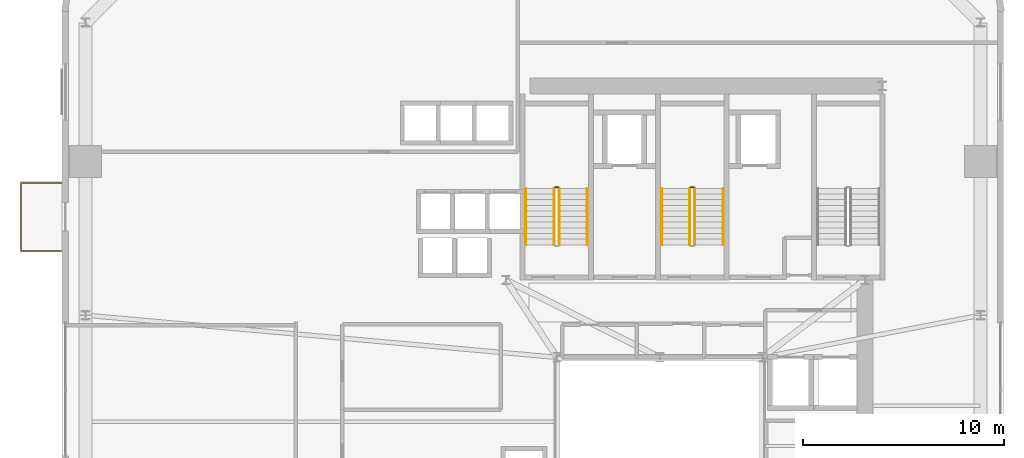
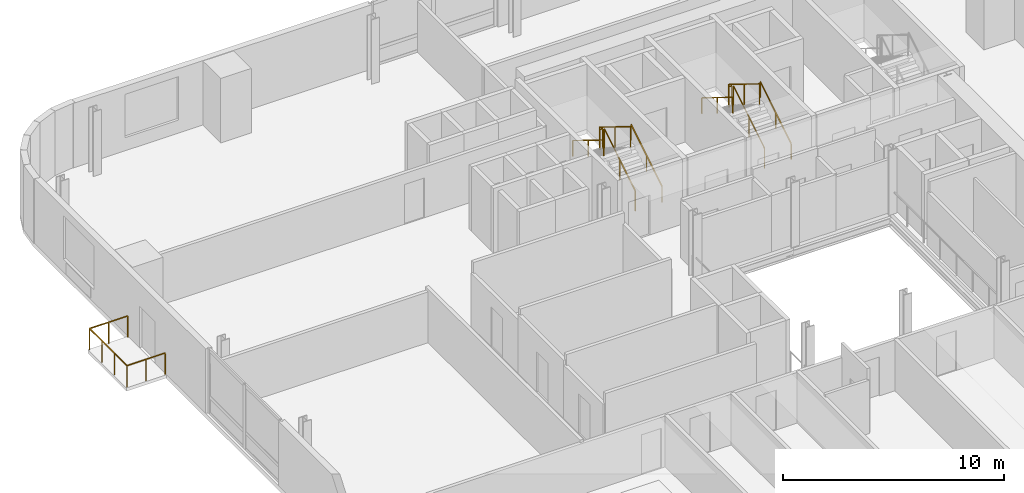
# One storey, part 13 of 14: 11 railings.
"""IFC4 building model written with IfcOpenShell, lengths in metres."""

from ifc_helpers import new_model, si_unit, direction, frame, origin, origin_2d, place, context, subcontext, project, spatial, rectangle, extrude, source, transform, mapped, material, type_object, element, save


model = new_model("IFC4")

# Units and contexts
model_context = context("Model", 3, precision=1e-05, world=origin(), true_north=direction((0.0, 1.0)))
body_context = subcontext(model_context, "Body", "Model", "MODEL_VIEW")
ifc_project = project(units=[si_unit("LENGTHUNIT", "METRE"), si_unit("AREAUNIT", "SQUARE_METRE"), si_unit("VOLUMEUNIT", "CUBIC_METRE"), si_unit("PLANEANGLEUNIT", "RADIAN"), si_unit("MASSUNIT", "GRAM", prefix="KILO")], contexts=[model_context])

# Site, building, storey
site_placement = place(None, origin())
site = spatial("IfcSite", under=ifc_project, at=site_placement, CompositionType="ELEMENT")
building_placement = place(site_placement, origin())
building = spatial("IfcBuilding", under=site, at=building_placement, Name="Vardaveli Station Tower", CompositionType="ELEMENT")
storey_placement = place(building_placement, frame((0.0, 0.0, 103.699951171875)))
storey = spatial("IfcBuildingStorey", under=building, at=storey_placement, Name="L26", CompositionType="ELEMENT", Elevation=103.699951171875)

# Railings
ifc_material_1 = material(Name="Laminated glass and stainless steel balustrade", Category="steel")
railing_type_1 = type_object("IfcRailingType", Name="RL-BAL-1200", PredefinedType="BALUSTRADE", material=ifc_material_1)
shared_shape_1 = source(origin(), body_context, "Body", "SweptSolid", [
    extrude(rectangle(XDim=0.048095703125, YDim=0.048095703125, at=origin_2d()), frame((0.0, 0.0, 1.17578125), z_axis=(-1.0, 0.0, 0.0), x_axis=(0.0, -1.0, 0.0)), (0.0, 0.0, 1.0), 2.0),
    extrude(rectangle(XDim=0.048095703125, YDim=0.048095703125, at=origin_2d()), frame((-2.0, 0.0, 1.17578125), z_axis=(0.0, 1.0, 0.0), x_axis=(-1.0, 0.0, 0.0)), (0.0, 0.0, 1.0), 3.3798828125),
    extrude(rectangle(XDim=0.048095703125, YDim=0.048095703125, at=origin_2d()), frame((-2.0, 3.3798828125, 1.17578125), z_axis=(1.0, 0.0, 0.0), x_axis=(0.0, 1.0, 0.0)), (0.0, 0.0, 1.0), 2.0),
    extrude(rectangle(XDim=0.0419921875, YDim=0.0419921875, at=origin_2d()), origin(), (0.0, 0.0, 1.0), 1.15185546875),
    extrude(rectangle(XDim=0.0419921875, YDim=0.0419921875, at=origin_2d()), frame((-1.0, 0.0, 0.0)), (0.0, 0.0, 1.0), 1.15185546875),
    extrude(rectangle(XDim=0.0419921875, YDim=0.0419921875, at=origin_2d()), frame((-2.0, 0.0, 0.0)), (0.0, 0.0, 1.0), 1.15185546875),
    extrude(rectangle(XDim=0.0419921875, YDim=0.0419921875, at=origin_2d()), frame((-2.0, 1.126708984375, 0.0)), (0.0, 0.0, 1.0), 1.15185546875),
    extrude(rectangle(XDim=0.0419921875, YDim=0.0419921875, at=origin_2d()), frame((-2.0, 2.253173828125, 0.0)), (0.0, 0.0, 1.0), 1.15185546875),
    extrude(rectangle(XDim=0.0419921875, YDim=0.0419921875, at=origin_2d()), frame((-2.0, 3.3798828125, 0.0)), (0.0, 0.0, 1.0), 1.15185546875),
    extrude(rectangle(XDim=0.0419921875, YDim=0.0419921875, at=origin_2d()), frame((-1.0, 3.3798828125, 0.0)), (0.0, 0.0, 1.0), 1.15185546875),
    extrude(rectangle(XDim=0.0419921875, YDim=0.0419921875, at=origin_2d()), frame((0.0, 3.3798828125, 0.0)), (0.0, 0.0, 1.0), 1.15185546875),
])
railing_placement = place(storey_placement, frame((6.56005859375, 32.099609375, 0.0)))
element("IfcRailing", 1, at=railing_placement, inside=storey, type_object=railing_type_1, Name="RL-LOG-L26-03", PredefinedType="BALUSTRADE", context=body_context, shape_type="MappedRepresentation", body=[
    mapped(shared_shape_1, transform((0.0, 0.0, 0.0), scale=1.0)),
])
ifc_material_2 = material(Name="Brushed AISI 316 stainless steel", Category="steel")
railing_type_2 = type_object("IfcRailingType", Name="RL-GUARD-1150", PredefinedType="GUARDRAIL", material=ifc_material_2)
shared_shape_2 = source(origin(), body_context, "Body", "SweptSolid", [
    extrude(rectangle(XDim=0.048095703125, YDim=0.048095703125, at=origin_2d()), frame((0.0, 0.0, 1.1259765625), z_axis=(-1.0, 0.0, 0.0), x_axis=(0.0, -1.0, 0.0)), (0.0, 0.0, 1.0), 0.14990234375),
    extrude(rectangle(XDim=0.0419921875, YDim=0.0419921875, at=origin_2d()), origin(), (0.0, 0.0, 1.0), 1.101806640625),
    extrude(rectangle(XDim=0.0419921875, YDim=0.0419921875, at=origin_2d()), frame((-0.14990234375, 0.0, 0.0)), (0.0, 0.0, 1.0), 1.101806640625),
])
for number, where, name in (
    (2, (31.25, 35.25, 1.900146484375), "L26 ST-1 stair guard 2"),
    (3, (38.0, 35.25, 1.900146484375), "L26 ST-2 stair guard 2"),
):
    element("IfcRailing", number, at=place(storey_placement, frame(where)), inside=storey, type_object=railing_type_2, Name=name, PredefinedType="GUARDRAIL", context=body_context, shape_type="MappedRepresentation", body=[
        mapped(shared_shape_2, transform((0.0, 0.0, 0.0), scale=1.0)),
    ])
shared_shape_3 = source(origin(), body_context, "Body", "SweptSolid", [
    extrude(rectangle(XDim=0.048095703125, YDim=0.048095703125, at=origin_2d()), frame((0.0, 0.0, 1.1259765625), z_axis=(0.0, 0.851089632645, 0.525020415988), x_axis=(-1.0, 0.0, 0.0)), (0.0, 0.0, 1.0), 3.2900390625),
    extrude(rectangle(XDim=0.0419921875, YDim=0.0419921875, at=origin_2d()), origin(), (0.0, 0.0, 1.0), 1.101806640625),
    extrude(rectangle(XDim=0.0419921875, YDim=0.0419921875, at=origin_2d()), frame((0.0, 1.39990234375, 0.86376953125)), (0.0, 0.0, 1.0), 1.101806640625),
    extrude(rectangle(XDim=0.0419921875, YDim=0.0419921875, at=origin_2d()), frame((0.0, 2.800048828125, 1.727294921875)), (0.0, 0.0, 1.0), 1.101806640625),
])
for number, where, name in (
    (4, (31.300048828125, 32.39990234375, 0.1728515625), "L26 ST-1 stair guard 1"),
    (5, (38.050048828125, 32.39990234375, 0.1728515625), "L26 ST-2 stair guard 1"),
):
    element("IfcRailing", number, at=place(storey_placement, frame(where)), inside=storey, type_object=railing_type_2, Name=name, PredefinedType="GUARDRAIL", context=body_context, shape_type="MappedRepresentation", body=[
        mapped(shared_shape_3, transform((0.0, 0.0, 0.0), scale=1.0)),
    ])
shared_shape_4 = source(origin(), body_context, "Body", "SweptSolid", [
    extrude(rectangle(XDim=0.048095703125, YDim=0.048095703125, at=origin_2d()), frame((0.0, 0.0, 1.1259765625), z_axis=(0.0, -0.851089632645, 0.525020415988), x_axis=(1.0, 0.0, 0.0)), (0.0, 0.0, 1.0), 3.2900390625),
    extrude(rectangle(XDim=0.0419921875, YDim=0.0419921875, at=origin_2d()), origin(), (0.0, 0.0, 1.0), 1.101806640625),
    extrude(rectangle(XDim=0.0419921875, YDim=0.0419921875, at=origin_2d()), frame((0.0, -1.39990234375, 0.86376953125)), (0.0, 0.0, 1.0), 1.101806640625),
    extrude(rectangle(XDim=0.0419921875, YDim=0.0419921875, at=origin_2d()), frame((0.0, -2.800048828125, 1.727294921875)), (0.0, 0.0, 1.0), 1.101806640625),
])
for number, where, name in (
    (6, (31.050048828125, 35.199951171875, 2.07275390625), "L26 ST-1 stair guard 3"),
    (7, (37.800048828125, 35.199951171875, 2.07275390625), "L26 ST-2 stair guard 3"),
):
    element("IfcRailing", number, at=place(storey_placement, frame(where)), inside=storey, type_object=railing_type_2, Name=name, PredefinedType="GUARDRAIL", context=body_context, shape_type="MappedRepresentation", body=[
        mapped(shared_shape_4, transform((0.0, 0.0, 0.0), scale=1.0)),
    ])
railing_type_3 = type_object("IfcRailingType", Name="RL-HAND-900", PredefinedType="HANDRAIL", material=ifc_material_2)
shared_shape_5 = source(origin(), body_context, "Body", "SweptSolid", [
    extrude(rectangle(XDim=0.048095703125, YDim=0.048095703125, at=origin_2d()), frame((0.0, 0.0, 0.8759765625), z_axis=(0.0, 0.851089632645, 0.525020415988), x_axis=(-1.0, 0.0, 0.0)), (0.0, 0.0, 1.0), 3.2900390625),
    extrude(rectangle(XDim=0.0419921875, YDim=0.0419921875, at=origin_2d()), origin(), (0.0, 0.0, 1.0), 0.851806640625),
    extrude(rectangle(XDim=0.0419921875, YDim=0.0419921875, at=origin_2d()), frame((0.0, 1.39990234375, 0.86376953125)), (0.0, 0.0, 1.0), 0.851806640625),
    extrude(rectangle(XDim=0.0419921875, YDim=0.0419921875, at=origin_2d()), frame((0.0, 2.800048828125, 1.727294921875)), (0.0, 0.0, 1.0), 0.851806640625),
])
for number, where, name in (
    (8, (32.699951171875, 32.39990234375, 0.1728515625), "L26 ST-1 stair handrail 1"),
    (9, (39.449951171875, 32.39990234375, 0.1728515625), "L26 ST-2 stair handrail 1"),
):
    element("IfcRailing", number, at=place(storey_placement, frame(where)), inside=storey, type_object=railing_type_3, Name=name, PredefinedType="HANDRAIL", context=body_context, shape_type="MappedRepresentation", body=[
        mapped(shared_shape_5, transform((0.0, 0.0, 0.0), scale=1.0)),
    ])
shared_shape_6 = source(origin(), body_context, "Body", "SweptSolid", [
    extrude(rectangle(XDim=0.048095703125, YDim=0.048095703125, at=origin_2d()), frame((0.0, 0.0, 0.8759765625), z_axis=(0.0, -0.851089632645, 0.525020415988), x_axis=(1.0, 0.0, 0.0)), (0.0, 0.0, 1.0), 3.2900390625),
    extrude(rectangle(XDim=0.0419921875, YDim=0.0419921875, at=origin_2d()), origin(), (0.0, 0.0, 1.0), 0.851806640625),
    extrude(rectangle(XDim=0.0419921875, YDim=0.0419921875, at=origin_2d()), frame((0.0, -1.39990234375, 0.86376953125)), (0.0, 0.0, 1.0), 0.851806640625),
    extrude(rectangle(XDim=0.0419921875, YDim=0.0419921875, at=origin_2d()), frame((0.0, -2.800048828125, 1.727294921875)), (0.0, 0.0, 1.0), 0.851806640625),
])
for number, where, name in (
    (10, (29.64990234375, 35.199951171875, 2.07275390625), "L26 ST-1 stair handrail 2"),
    (11, (36.39990234375, 35.199951171875, 2.07275390625), "L26 ST-2 stair handrail 2"),
):
    element("IfcRailing", number, at=place(storey_placement, frame(where)), inside=storey, type_object=railing_type_3, Name=name, PredefinedType="HANDRAIL", context=body_context, shape_type="MappedRepresentation", body=[
        mapped(shared_shape_6, transform((0.0, 0.0, 0.0), scale=1.0)),
    ])

save(model, "model.ifc")
